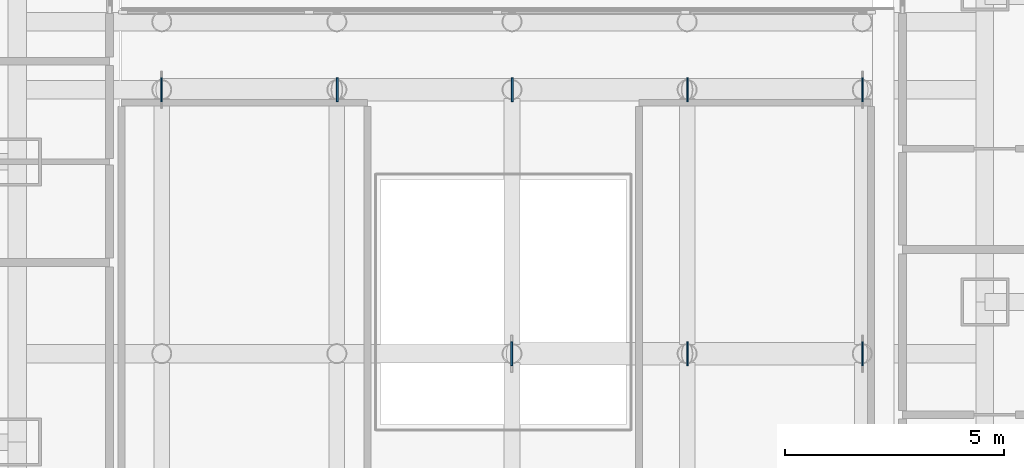
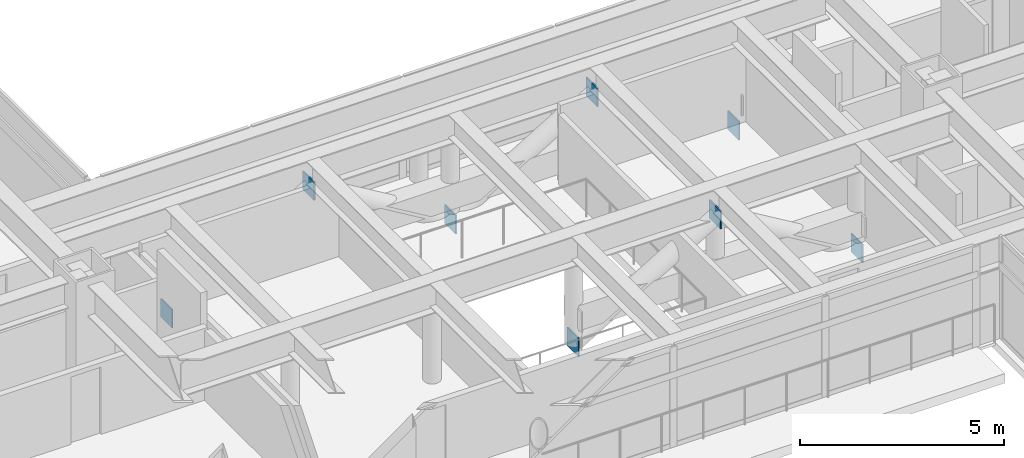
# One storey, part 14 of 28: 8 plates.
"""IFC4 building model written with IfcOpenShell, lengths in metres."""

from ifc_helpers import new_model, si_unit, direction, frame, origin, origin_2d, place, context, subcontext, project, spatial, rectangle, extrude, material, layer, layer_set, type_object, element, save


model = new_model("IFC4")

# Units and contexts
model_context = context("Model", 3, precision=1e-05, world=origin(), true_north=direction((0.0, 1.0)))
body_context = subcontext(model_context, "Body", "Model", "MODEL_VIEW")
ifc_project = project(units=[si_unit("LENGTHUNIT", "METRE"), si_unit("AREAUNIT", "SQUARE_METRE"), si_unit("VOLUMEUNIT", "CUBIC_METRE"), si_unit("PLANEANGLEUNIT", "RADIAN"), si_unit("MASSUNIT", "GRAM", prefix="KILO")], contexts=[model_context])

# Site, building, storey
site_placement = place(None, origin())
site = spatial("IfcSite", under=ifc_project, at=site_placement, CompositionType="ELEMENT")
building_placement = place(site_placement, origin())
building = spatial("IfcBuilding", under=site, at=building_placement, Name="Mirazonda Arch Towers", CompositionType="ELEMENT")
storey_placement = place(building_placement, frame((0.0, 0.0, 91.699951171875)))
storey = spatial("IfcBuildingStorey", under=building, at=storey_placement, Name="L25", CompositionType="ELEMENT", Elevation=91.699951171875)

# Plates
ifc_material = material(Name="Steel ASTM A572 Grade 50", Category="steel")
ifc_layer = layer(ifc_material, 0.030029296875, Name="PLATE-CAP-550x550x30")
ifc_layer_set = layer_set([ifc_layer], Name="Steel ASTM A572 Grade 50")
plate_type = type_object("IfcPlateType", Name="PLATE-CAP-550x550x30", PredefinedType="USERDEFINED", material=ifc_layer_set)
for number, where, z_axis, x_axis, name in (
    (1, (50.193115234375, 26.820068359375, -0.56884765625), (0.0, 0.0, 1.0), (-1.0, 0.0, 0.0), "Steel end closure plate NP-BRG-L25-IS-DG3A"),
    (2, (54.206787109375, 26.820068359375, 1.83203125), (0.0, 0.0, 1.0), (1.0, 0.0, 0.0), "Steel end closure plate NP-BRG-L25-IS-DG3B"),
    (3, (58.206787109375, 26.820068359375, -0.56884765625), (0.0, 0.0, 1.0), (1.0, 0.0, 0.0), "Steel end closure plate NP-BRG-L25-IS-DG4B"),
    (4, (42.193115234375, 32.85009765625, -0.56884765625), (0.0, 0.0, 1.0), (-1.0, 0.0, 0.0), "Steel end closure plate NP-BRG-L25-IN-DG1A"),
    (5, (46.206787109375, 32.85009765625, 1.83203125), (0.0, 0.0, 1.0), (1.0, 0.0, 0.0), "Steel end closure plate NP-BRG-L25-IN-DG1B"),
    (6, (50.206787109375, 32.85009765625, -0.56884765625), (0.0, 0.0, 1.0), (1.0, 0.0, 0.0), "Steel end closure plate NP-BRG-L25-IN-DG2B"),
    (7, (54.206787109375, 32.85009765625, 1.83203125), (0.0, 0.0, 1.0), (1.0, 0.0, 0.0), "Steel end closure plate NP-BRG-L25-IN-DG3B"),
    (8, (58.206787109375, 32.85009765625, -0.56884765625), (0.0, 0.0, 1.0), (1.0, 0.0, 0.0), "Steel end closure plate NP-BRG-L25-IN-DG4B"),
):
    element("IfcPlate", number, at=place(storey_placement, frame(where, z_axis=z_axis, x_axis=x_axis)), inside=storey, type_object=plate_type, Name=name, ObjectType="CAP PLATE", PredefinedType="USERDEFINED", context=body_context, shape_type="SweptSolid", body=[
        extrude(rectangle(XDim=0.0400390625, YDim=0.550048828125, at=origin_2d()), origin(), (0.0, 0.0, 1.0), 0.550048828125),
    ])

save(model, "model.ifc")
